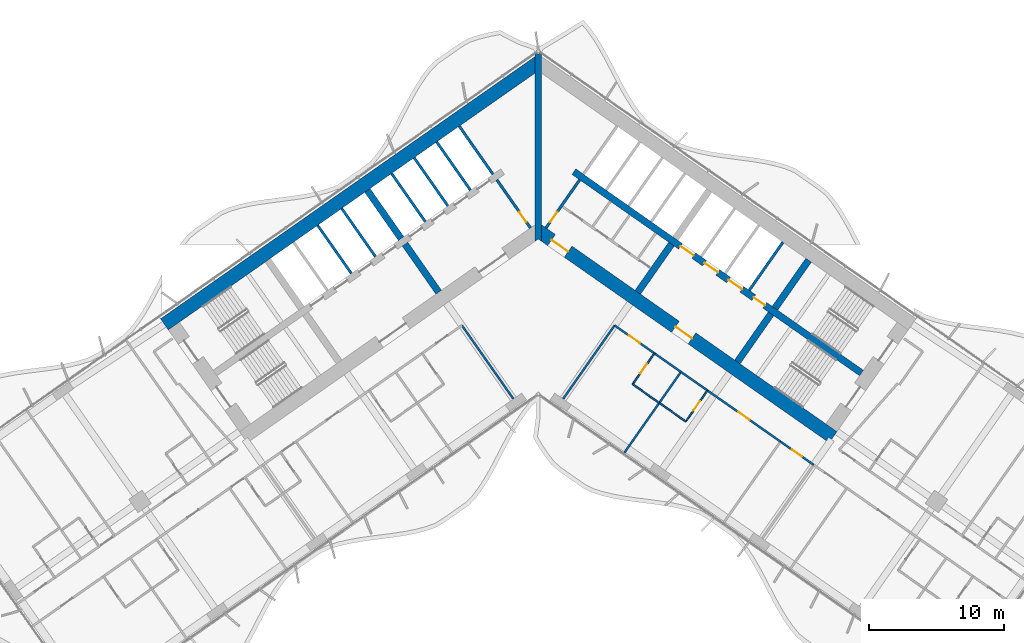
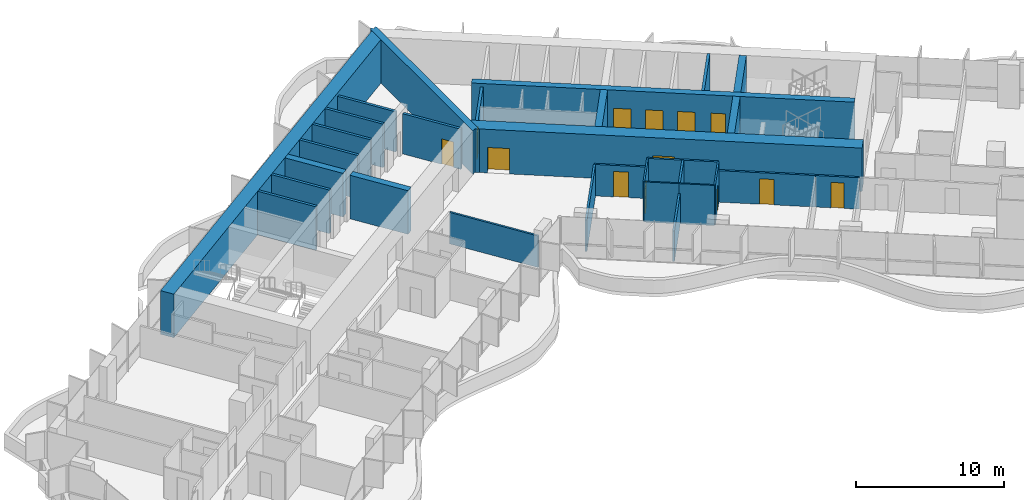
# One storey, part 14 of 23: 31 walls, 13 doors, 13 openings.
"""IFC4 building model written with IfcOpenShell, lengths in metres."""

import ifcopenshell
import ifcopenshell.guid

model = None  # the IFC model being written
_history = None  # IfcOwnerHistory: only IFC2X3 demands one
_inside = {}  # id of a spatial element -> (the spatial element, [elements in it])
_under = {}  # id of a project, library or spatial element -> (it, [spatial elements below it])
_declared = {}  # id of a project -> (the project, [libraries it declares])
_typed = {}  # id of a type object -> (the type object, [elements of that type])
_made_of = {}  # id of a material, layer set ... -> (it, [elements and type objects made of it])


def new_model(schema):
    """Start an empty IFC model of exactly this schema.

    Asked for "IFC4X3", IfcOpenShell would pick the latest addendum, in which some entities
    have other attributes; the version numbers below select the first issue.
    IFC2X3 requires an IfcOwnerHistory on every rooted entity: one is made here for all.
    """
    global model, _history
    if schema == "IFC4X3":
        model = ifcopenshell.file(schema_version=(4, 3, 0, 0))
    else:
        model = ifcopenshell.file(schema=schema)
    _inside.clear()
    _under.clear()
    _declared.clear()
    _typed.clear()
    _made_of.clear()
    _history = None
    if model.schema == "IFC2X3":
        org = make("IfcOrganization", Name="unknown")
        user = make(
            "IfcPersonAndOrganization",
            ThePerson=make("IfcPerson", FamilyName="unknown"),
            TheOrganization=org,
        )
        app = make(
            "IfcApplication",
            ApplicationDeveloper=org,
            Version="unknown",
            ApplicationFullName="unknown",
            ApplicationIdentifier="unknown",
        )
        _history = make(
            "IfcOwnerHistory",
            OwningUser=user,
            OwningApplication=app,
            ChangeAction="ADDED",
            CreationDate=0,
        )
    return model


def make(cls, **values):
    """One entity of the class cls with the attributes given. An attribute that is None is left unset."""
    return model.create_entity(
        cls, **{name: value for name, value in values.items() if value is not None}
    )


def rooted(cls, **values):
    """An entity with a GlobalId (a new one), such as an element, a storey or a relation."""
    return make(cls, GlobalId=ifcopenshell.guid.new(), OwnerHistory=_history, **values)


def si_unit(unit_type, name, prefix=None):
    """IfcSIUnit, for example si_unit("LENGTHUNIT", "METRE", prefix="MILLI")."""
    return make("IfcSIUnit", UnitType=unit_type, Prefix=prefix, Name=name)


def assignment(units):
    """IfcUnitAssignment: the units of a project."""
    return None if units is None else make("IfcUnitAssignment", Units=units)


def point(xyz):
    """IfcCartesianPoint."""
    return None if xyz is None else make("IfcCartesianPoint", Coordinates=xyz)


def direction(xyz):
    """IfcDirection."""
    return None if xyz is None else make("IfcDirection", DirectionRatios=xyz)


def frame(location, z_axis=None, x_axis=None):
    """IfcAxis2Placement3D, a coordinate frame: its origin and axes. An axis left out is left unset."""
    return make(
        "IfcAxis2Placement3D",
        Location=point(location),
        Axis=direction(z_axis),
        RefDirection=direction(x_axis),
    )


def frame_2d(location, x_axis=None):
    """IfcAxis2Placement2D, a coordinate frame in the plane: its origin and x axis."""
    return make(
        "IfcAxis2Placement2D", Location=point(location), RefDirection=direction(x_axis)
    )


def origin():
    """The frame at (0, 0, 0) with its axes left unset."""
    return frame((0.0, 0.0, 0.0))


def place(relative_to, where):
    """IfcLocalPlacement: puts the frame where relative to a parent placement (None: the world)."""
    return make(
        "IfcLocalPlacement", PlacementRelTo=relative_to, RelativePlacement=where
    )


def context(
    kind, dimensions, precision=None, world=None, true_north=None, identifier=None
):
    """IfcGeometricRepresentationContext, for example the 3D "Model" context."""
    return make(
        "IfcGeometricRepresentationContext",
        ContextIdentifier=identifier,
        ContextType=kind,
        CoordinateSpaceDimension=dimensions,
        Precision=precision,
        WorldCoordinateSystem=world,
        TrueNorth=true_north,
    )


def subcontext(parent, identifier, kind, view, scale=None):
    """IfcGeometricRepresentationSubContext, for example "Body" below "Model"."""
    return make(
        "IfcGeometricRepresentationSubContext",
        ContextIdentifier=identifier,
        ContextType=kind,
        ParentContext=parent,
        TargetScale=scale,
        TargetView=view,
    )


def project(units=None, contexts=None):
    """IfcProject with its units and contexts."""
    return rooted(
        "IfcProject",
        Name="project",
        RepresentationContexts=contexts,
        UnitsInContext=assignment(units),
    )


def spatial(cls, under=None, at=None, **own):
    """A site, building, storey or space (cls), placed at a placement, below another one or the project."""
    s = rooted(cls, ObjectPlacement=at, **own)
    if under is not None:
        _under.setdefault(under.id(), (under, []))[1].append(s)
    return s


def polyline(points):
    """IfcPolyline through the points."""
    return make("IfcPolyline", Points=[point(p) for p in points])


def profile(cls, at=None, kind="AREA", **sizes):
    """A parametric profile (cls). Its sizes go by their IFC names, for example OverallWidth=200.0."""
    return make(cls, ProfileType=kind, Position=at, **sizes)


def rectangle(**sizes):
    """IfcRectangleProfileDef."""
    return profile("IfcRectangleProfileDef", **sizes)


def outline(outer, holes=None, kind="AREA"):
    """IfcArbitraryClosedProfileDef: a profile drawn as a closed curve; with holes, ...WithVoids."""
    if holes is None:
        return make("IfcArbitraryClosedProfileDef", ProfileType=kind, OuterCurve=outer)
    return make(
        "IfcArbitraryProfileDefWithVoids",
        ProfileType=kind,
        OuterCurve=outer,
        InnerCurves=holes,
    )


def extrude(swept, where, along, depth):
    """IfcExtrudedAreaSolid: the profile swept, set in the frame where, extruded along a direction by depth."""
    return make(
        "IfcExtrudedAreaSolid",
        SweptArea=swept,
        Position=where,
        ExtrudedDirection=direction(along),
        Depth=depth,
    )


def shape(context_of_items, identifier, shape_type, items):
    """IfcShapeRepresentation: the items that make up one representation, for example the "Body"."""
    return make(
        "IfcShapeRepresentation",
        ContextOfItems=context_of_items,
        RepresentationIdentifier=identifier,
        RepresentationType=shape_type,
        Items=items,
    )


def material(Name=None, Category=None):
    """IfcMaterial."""
    return make("IfcMaterial", Name=Name, Category=Category)


def layer(
    of_material, thickness, ventilated=None, Name=None, Category=None, Priority=None
):
    """IfcMaterialLayer: one layer of a wall or slab, of a material (None: an air gap)."""
    return make(
        "IfcMaterialLayer",
        Material=of_material,
        LayerThickness=thickness,
        IsVentilated=ventilated,
        Name=Name,
        Category=Category,
        Priority=Priority,
    )


def layer_set(layers, Name=None):
    """IfcMaterialLayerSet."""
    return make("IfcMaterialLayerSet", MaterialLayers=layers, LayerSetName=Name)


def made_of(thing, what):
    """Note that an element or type object is made of a material, layer set ...; save() writes the relation."""
    if what is not None:
        _made_of.setdefault(what.id(), (what, []))[1].append(thing)
    return thing


def type_object(cls, material=None, **own):
    """A type object (cls), such as IfcWallType, which elements share."""
    return made_of(rooted(cls, **own), material)


def element(
    cls,
    number,
    at=None,
    inside=None,
    cuts=None,
    type_object=None,
    material=None,
    context=None,
    identifier="Body",
    shape_type=None,
    held_by="IfcProductDefinitionShape",
    body=None,
    shapes=None,
    **own,
):
    """One element of the class cls, such as IfcWall. Its Tag is "e" and its number.

    at: its placement. inside: the storey or other place that contains it. cuts: it is an
    opening in that element (IfcRelVoidsElement). A single representation is given by context,
    identifier, shape_type and body (its items); several are given by shapes. held_by: the class
    of the entity that holds the representations. save() writes the other relations.
    """
    e = rooted(cls, Tag="e%d" % number, ObjectPlacement=at, **own)
    if body is not None:
        shapes = [shape(context, identifier, shape_type, body)]
    if shapes is not None:
        e.Representation = make(held_by, Representations=shapes)
    if inside is not None:
        _inside.setdefault(inside.id(), (inside, []))[1].append(e)
    if cuts is not None:
        rooted(
            "IfcRelVoidsElement", RelatingBuildingElement=cuts, RelatedOpeningElement=e
        )
    if type_object is not None:
        _typed.setdefault(type_object.id(), (type_object, []))[1].append(e)
    return made_of(e, material)


def fill(opening, filler):
    """IfcRelFillsElement: the door or window that sits in an opening."""
    return rooted(
        "IfcRelFillsElement",
        RelatingOpeningElement=opening,
        RelatedBuildingElement=filler,
    )


def aggregate(whole, parts):
    """IfcRelAggregates: a whole, such as a stair, and the parts it consists of."""
    return rooted("IfcRelAggregates", RelatingObject=whole, RelatedObjects=parts)


def save(model, path):
    """Write the relations noted so far, then the file.

    IfcRelAggregates (storeys below a building ...), IfcRelContainedInSpatialStructure (elements
    in a storey), IfcRelDefinesByType, IfcRelAssociatesMaterial and IfcRelDeclares: one each for
    every whole, place, type object, material and project.
    """
    for whole, parts in _under.values():
        aggregate(whole, parts)
    for where, things in _inside.values():
        rooted(
            "IfcRelContainedInSpatialStructure",
            RelatedElements=things,
            RelatingStructure=where,
        )
    for kind, things in _typed.values():
        rooted("IfcRelDefinesByType", RelatedObjects=things, RelatingType=kind)
    for what, things in _made_of.values():
        rooted("IfcRelAssociatesMaterial", RelatedObjects=things, RelatingMaterial=what)
    for by, libraries in _declared.values():
        rooted("IfcRelDeclares", RelatingContext=by, RelatedDefinitions=libraries)
    model.write(path)


model = new_model("IFC4")

# Units and contexts
model_context = context("Model", 3, precision=1e-05, world=origin(), true_north=direction((0.0, 1.0)))
body_context = subcontext(model_context, "Body", "Model", "MODEL_VIEW")
ifc_project = project(units=[si_unit("LENGTHUNIT", "METRE"), si_unit("AREAUNIT", "SQUARE_METRE"), si_unit("VOLUMEUNIT", "CUBIC_METRE"), si_unit("PLANEANGLEUNIT", "RADIAN"), si_unit("MASSUNIT", "GRAM", prefix="KILO")], contexts=[model_context])

# Site, building, storey
site_placement = place(None, origin())
site = spatial("IfcSite", under=ifc_project, at=site_placement, CompositionType="ELEMENT")
building_placement = place(site_placement, origin())
building = spatial("IfcBuilding", under=site, at=building_placement, Name="Tel Ilan Convention Tower", CompositionType="ELEMENT")
storey_placement = place(building_placement, frame((0.0, 0.0, 83.300048828125)))
storey = spatial("IfcBuildingStorey", under=building, at=storey_placement, Name="L16", CompositionType="ELEMENT", Elevation=83.300048828125)

# Wall, opening, door
ifc_material_1 = material(Name="Concrete C30/37", Category="concrete")
ifc_layer_1 = layer(ifc_material_1, 0.199951171875)
ifc_layer_set_1 = layer_set([ifc_layer_1], Name="Core Service Room Wall 200 mm C30/37")
wall_type_1 = type_object("IfcWallType", Name="Core Service Room Wall 200 mm C30/37", PredefinedType="SOLIDWALL", material=ifc_layer_set_1)
wall_1_placement = place(storey_placement, frame((-0.573486328125, -0.401611328125, 0.0), z_axis=(0.0, 0.0, 1.0), x_axis=(-0.57356780395, 0.819158088694, 0.0)))
wall_1 = element("IfcWall", 1, at=wall_1_placement, inside=storey, type_object=wall_type_1, Name="L16 core wall apex-W", PredefinedType="SOLIDWALL", context=body_context, shape_type="SweptSolid", body=[
    extrude(rectangle(XDim=4.35009765625, YDim=0.199951171875, at=frame_2d((2.175048828125, 0.0))), origin(), (0.0, 0.0, 1.0), 3.320068359375),
])
opening_1_placement = place(wall_1_placement, frame((0.550048828125, 0.0, 0.0)))
opening_1 = element("IfcOpeningElement", 2, at=opening_1_placement, cuts=wall_1, Name="Opening CD1502", PredefinedType="OPENING", context=body_context, shape_type="SweptSolid", body=[
    extrude(rectangle(XDim=0.89990234375, YDim=2.10009765625, at=frame_2d((0.449951171875, 1.050048828125))), frame((0.0, 0.10986328125, 0.0), z_axis=(0.0, -1.0, 0.0), x_axis=(1.0, 0.0, 0.0)), (0.0, 0.0, 1.0), 0.219970703125),
])
ifc_material_2 = material(Name="Galvanised Steel Door Leaf", Category="steel")
door_type_1 = type_object("IfcDoorType", Name="Service Room Door 900 x 2100 FD60", OperationType="NOTDEFINED", PredefinedType="DOOR", material=ifc_material_2)
door_1_placement = place(opening_1_placement, origin())
door_1 = element("IfcDoor", 3, at=door_1_placement, inside=storey, type_object=door_type_1, Name="Telecom Room door", OperationType="SINGLE_SWING_RIGHT", OverallHeight=2.10009765625, OverallWidth=0.89990234375, PredefinedType="DOOR", context=body_context, shape_type="SweptSolid", body=[
    extrude(rectangle(XDim=0.89990234375, YDim=2.10009765625, at=frame_2d((0.449951171875, 1.050048828125))), frame((0.0, 0.02490234375, 0.0), z_axis=(0.0, -1.0, 0.0), x_axis=(1.0, 0.0, 0.0)), (0.0, 0.0, 1.0), 0.050048828125),
])
fill(opening_1, door_1)

# Wall
wall_2_placement = place(storey_placement, frame((-3.355224609375, 3.5712890625, 0.0), z_axis=(0.0, 0.0, 1.0), x_axis=(-0.57356780395, 0.819158088694, 0.0)))
element("IfcWall", 4, at=wall_2_placement, inside=storey, type_object=wall_type_1, Name="L16 core wall apex-W-b", PredefinedType="SOLIDWALL", context=body_context, shape_type="SweptSolid", body=[
    extrude(rectangle(XDim=4.35009765625, YDim=0.199951171875, at=frame_2d((2.175048828125, 0.0))), origin(), (0.0, 0.0, 1.0), 3.320068359375),
])

# Wall, opening, door
wall_3_placement = place(storey_placement, frame((0.573486328125, -0.401611328125, 0.0), z_axis=(0.0, 0.0, 1.0), x_axis=(0.57356780395, 0.819158088694, 0.0)))
wall_3 = element("IfcWall", 5, at=wall_3_placement, inside=storey, type_object=wall_type_1, Name="L16 core wall apex-E", PredefinedType="SOLIDWALL", context=body_context, shape_type="SweptSolid", body=[
    extrude(rectangle(XDim=4.35009765625, YDim=0.199951171875, at=frame_2d((2.175048828125, 0.0))), origin(), (0.0, 0.0, 1.0), 3.320068359375),
])
opening_2_placement = place(wall_3_placement, frame((0.550048828125, 0.0, 0.0)))
opening_2 = element("IfcOpeningElement", 6, at=opening_2_placement, cuts=wall_3, Name="Opening CD1501", PredefinedType="OPENING", context=body_context, shape_type="SweptSolid", body=[
    extrude(rectangle(XDim=0.89990234375, YDim=2.10009765625, at=frame_2d((0.449951171875, 1.050048828125))), frame((0.0, 0.10986328125, 0.0), z_axis=(0.0, -1.0, 0.0), x_axis=(1.0, 0.0, 0.0)), (0.0, 0.0, 1.0), 0.219970703125),
])
door_2_placement = place(opening_2_placement, origin())
door_2 = element("IfcDoor", 7, at=door_2_placement, inside=storey, type_object=door_type_1, Name="Data Room door", OperationType="SINGLE_SWING_RIGHT", OverallHeight=2.10009765625, OverallWidth=0.89990234375, PredefinedType="DOOR", context=body_context, shape_type="SweptSolid", body=[
    extrude(rectangle(XDim=0.89990234375, YDim=2.10009765625, at=frame_2d((0.449951171875, 1.050048828125))), frame((0.0, 0.02490234375, 0.0), z_axis=(0.0, -1.0, 0.0), x_axis=(1.0, 0.0, 0.0)), (0.0, 0.0, 1.0), 0.050048828125),
])
fill(opening_2, door_2)

# Wall
ifc_material_3 = material(Name="Concrete C60/75", Category="concrete")
ifc_layer_2 = layer(ifc_material_3, 1.0)
ifc_layer_set_2 = layer_set([ifc_layer_2], Name="Core Shear Wall 1000 mm C60/75")
wall_type_2 = type_object("IfcWallType", Name="Core Shear Wall 1000 mm C60/75", PredefinedType="SHEAR", material=ifc_layer_set_2)
wall_4_placement = place(storey_placement, frame((0.036865234375, 11.8671875, 0.0), z_axis=(0.0, 0.0, 1.0), x_axis=(-0.819155306259, -0.573571777746, 0.0)))
element("IfcWall", 8, at=wall_4_placement, inside=storey, type_object=wall_type_2, Name="L16 core wall W-back", PredefinedType="SHEAR", context=body_context, shape_type="SweptSolid", body=[
    extrude(outline(polyline([(33.8369140625, 0.5), (0.7001953125, 0.499755859375), (0.0, -0.5), (33.8369140625, -0.5), (33.8369140625, 0.5)])), origin(), (0.0, 0.0, 1.0), 3.599853515625),
])

# Wall, openings, doors
wall_5_placement = place(storey_placement, frame((-0.036865234375, -0.584716796875, 0.0), z_axis=(0.0, 0.0, 1.0), x_axis=(0.819157152511, -0.573569140985, 0.0)))
wall_5 = element("IfcWall", 9, at=wall_5_placement, inside=storey, type_object=wall_type_2, Name="L16 core wall E-front", PredefinedType="SHEAR", context=body_context, shape_type="SweptSolid", body=[
    extrude(outline(polyline([(26.69482421875, 0.499755859375), (0.0, 0.5), (0.7001953125, -0.499755859375), (26.69482421875, -0.500244140625), (26.69482421875, 0.499755859375)])), origin(), (0.0, 0.0, 1.0), 3.599853515625),
])
opening_3_placement = place(wall_5_placement, frame((1.244873046875, 0.0, 0.0)))
opening_3 = element("IfcOpeningElement", 10, at=opening_3_placement, cuts=wall_5, Name="Opening CD1503", PredefinedType="OPENING", context=body_context, shape_type="SweptSolid", body=[
    extrude(rectangle(XDim=1.5, YDim=2.10009765625, at=frame_2d((0.75, 1.050048828125))), frame((0.0, 0.510009765625, 0.0), z_axis=(0.0, -1.0, 0.0), x_axis=(1.0, 0.0, 0.0)), (0.0, 0.0, 1.0), 1.02001953125),
])
opening_4_placement = place(wall_5_placement, frame((12.44482421875, 0.0, 0.0)))
opening_4 = element("IfcOpeningElement", 11, at=opening_4_placement, cuts=wall_5, Name="Opening CD1504", PredefinedType="OPENING", context=body_context, shape_type="SweptSolid", body=[
    extrude(rectangle(XDim=1.5, YDim=2.10009765625, at=frame_2d((0.75, 1.050048828125))), frame((0.0, 0.510009765625, 0.0), z_axis=(0.0, -1.0, 0.0), x_axis=(1.0, 0.0, 0.0)), (0.0, 0.0, 1.0), 1.02001953125),
])
ifc_material_4 = material(Name="Glazed Aluminium Door Leaf", Category="aluminium")
door_type_2 = type_object("IfcDoorType", Name="Lobby Opening Door 1500 x 2100 FD60S", OperationType="NOTDEFINED", PredefinedType="DOOR", material=ifc_material_4)
door_3_placement = place(opening_4_placement, origin())
door_3 = element("IfcDoor", 12, at=door_3_placement, inside=storey, type_object=door_type_2, Name="Firefighting Lobby door", OperationType="DOUBLE_DOOR_SINGLE_SWING", OverallHeight=2.10009765625, OverallWidth=1.5, PredefinedType="DOOR", context=body_context, shape_type="SweptSolid", body=[
    extrude(rectangle(XDim=1.5, YDim=2.10009765625, at=frame_2d((0.75, 1.050048828125))), frame((0.0, 0.02490234375, 0.0), z_axis=(0.0, -1.0, 0.0), x_axis=(1.0, 0.0, 0.0)), (0.0, 0.0, 1.0), 0.050048828125),
])
fill(opening_4, door_3)
ifc_material_5 = material(Name="Laminated Timber Door Leaf", Category="wood")
door_type_3 = type_object("IfcDoorType", Name="Toilet Door 1500 x 2100 FD30S", OperationType="NOTDEFINED", PredefinedType="DOOR", material=ifc_material_5)
door_4_placement = place(opening_3_placement, origin())
door_4 = element("IfcDoor", 13, at=door_4_placement, inside=storey, type_object=door_type_3, Name="WC Lobby door", OperationType="SINGLE_SWING_RIGHT", OverallHeight=2.10009765625, OverallWidth=1.5, PredefinedType="DOOR", context=body_context, shape_type="SweptSolid", body=[
    extrude(rectangle(XDim=1.5, YDim=2.10009765625, at=frame_2d((0.75, 1.050048828125))), frame((0.0, 0.02490234375, 0.0), z_axis=(0.0, -1.0, 0.0), x_axis=(1.0, 0.0, 0.0)), (0.0, 0.0, 1.0), 0.050048828125),
])
fill(opening_3, door_4)

# Walls
ifc_material_6 = material(Name="Concrete C60/75", Category="concrete")
ifc_layer_3 = layer(ifc_material_6, 0.5)
ifc_layer_set_3 = layer_set([ifc_layer_3], Name="Core Shear Wall 500 mm C60/75")
wall_type_3 = type_object("IfcWallType", Name="Core Shear Wall 500 mm C60/75", PredefinedType="SHEAR", material=ifc_layer_set_3)
wall_6_placement = place(storey_placement, frame((-7.372314453125, -5.162109375, 0.0), z_axis=(0.0, 0.0, 1.0), x_axis=(-0.573594173421, 0.819139624372, 0.0)))
element("IfcWall", 14, at=wall_6_placement, inside=storey, type_object=wall_type_3, Name="L16 core wall W-cross1-1", PredefinedType="SHEAR", context=body_context, shape_type="SweptSolid", body=[
    extrude(outline(polyline([(4.349853515625, 0.25), (0.0, 0.250244140625), (0.0, -0.25), (4.349853515625, -0.25), (4.349853515625, 0.25)])), origin(), (0.0, 0.0, 1.0), 3.599853515625),
])
wall_7_placement = place(storey_placement, frame((-10.154296875, -1.189208984375, 0.0), z_axis=(0.0, 0.0, 1.0), x_axis=(-0.573594173421, 0.819139624372, 0.0)))
element("IfcWall", 15, at=wall_7_placement, inside=storey, type_object=wall_type_3, Name="L16 core wall W-cross1-2", PredefinedType="SHEAR", context=body_context, shape_type="SweptSolid", body=[
    extrude(outline(polyline([(4.349853515625, -0.25), (4.349853515625, 0.25), (-0.000244140625, 0.25), (-0.000244140625, -0.25), (4.349853515625, -0.25)])), origin(), (0.0, 0.0, 1.0), 3.599853515625),
])
wall_8_placement = place(storey_placement, frame((7.372314453125, -5.162109375, 0.0), z_axis=(0.0, 0.0, 1.0), x_axis=(0.573594173421, 0.819139624372, 0.0)))
element("IfcWall", 16, at=wall_8_placement, inside=storey, type_object=wall_type_3, Name="L16 core wall E-cross1-1", PredefinedType="SHEAR", context=body_context, shape_type="SweptSolid", body=[
    extrude(outline(polyline([(0.0, 0.25), (0.0, -0.250244140625), (4.349853515625, -0.25), (4.349853515625, 0.25), (0.0, 0.25)])), origin(), (0.0, 0.0, 1.0), 3.599853515625),
])
wall_9_placement = place(storey_placement, frame((14.74462890625, -10.324462890625, 0.0), z_axis=(0.0, 0.0, 1.0), x_axis=(0.57356780395, 0.819158088694, 0.0)))
element("IfcWall", 17, at=wall_9_placement, inside=storey, type_object=wall_type_3, Name="L16 core wall E-cross2-1", PredefinedType="SHEAR", context=body_context, shape_type="SweptSolid", body=[
    extrude(outline(polyline([(0.0, 0.25), (0.0, -0.25), (4.35009765625, -0.250244140625), (4.35009765625, 0.25), (0.0, 0.25)])), origin(), (0.0, 0.0, 1.0), 3.599853515625),
])
wall_10_placement = place(storey_placement, frame((17.526611328125, -6.3515625, 0.0), z_axis=(0.0, 0.0, 1.0), x_axis=(0.573530143085, 0.819184457233, 0.0)))
element("IfcWall", 18, at=wall_10_placement, inside=storey, type_object=wall_type_3, Name="L16 core wall E-cross2-2", PredefinedType="SHEAR", context=body_context, shape_type="SweptSolid", body=[
    extrude(outline(polyline([(4.35009765625, -0.250244140625), (4.35009765625, 0.249755859375), (0.0, 0.25), (0.0, -0.25), (4.35009765625, -0.250244140625)])), origin(), (0.0, 0.0, 1.0), 3.599853515625),
])

# Wall, openings, doors
wall_11_placement = place(storey_placement, frame((2.638427734375, 3.76806640625, 0.0), z_axis=(0.0, 0.0, 1.0), x_axis=(0.819148977158, -0.573580816643, 0.0)))
wall_11 = element("IfcWall", 19, at=wall_11_placement, inside=storey, type_object=wall_type_3, Name="L16 core wall E-spine", PredefinedType="SHEAR", context=body_context, shape_type="SweptSolid", body=[
    extrude(outline(polyline([(0.0, 0.25), (0.0, -0.25), (26.0, -0.249755859375), (26.0, 0.250244140625), (0.0, 0.25)])), origin(), (0.0, 0.0, 1.0), 3.599853515625),
])
opening_5_placement = place(wall_11_placement, frame((9.637451171875, 0.0, 0.0)))
opening_5 = element("IfcOpeningElement", 20, at=opening_5_placement, cuts=wall_11, Name="Opening LD1501", PredefinedType="OPENING", context=body_context, shape_type="SweptSolid", body=[
    extrude(rectangle(XDim=1.199951171875, YDim=2.10009765625, at=frame_2d((0.60009765625, 1.050048828125))), frame((0.0, 0.260009765625, 0.0), z_axis=(0.0, -1.0, 0.0), x_axis=(1.0, 0.0, 0.0)), (0.0, 0.0, 1.0), 0.52001953125),
])
opening_6_placement = place(wall_11_placement, frame((11.8125, 0.0, 0.0)))
opening_6 = element("IfcOpeningElement", 21, at=opening_6_placement, cuts=wall_11, Name="Opening LD1502", PredefinedType="OPENING", context=body_context, shape_type="SweptSolid", body=[
    extrude(rectangle(XDim=1.199951171875, YDim=2.10009765625, at=frame_2d((0.60009765625, 1.050048828125))), frame((0.0, 0.260009765625, 0.0), z_axis=(0.0, -1.0, 0.0), x_axis=(1.0, 0.0, 0.0)), (0.0, 0.0, 1.0), 0.52001953125),
])
opening_7_placement = place(wall_11_placement, frame((13.987548828125, 0.0, 0.0)))
opening_7 = element("IfcOpeningElement", 22, at=opening_7_placement, cuts=wall_11, Name="Opening LD1503", PredefinedType="OPENING", context=body_context, shape_type="SweptSolid", body=[
    extrude(rectangle(XDim=1.199951171875, YDim=2.10009765625, at=frame_2d((0.60009765625, 1.050048828125))), frame((0.0, 0.260009765625, 0.0), z_axis=(0.0, -1.0, 0.0), x_axis=(1.0, 0.0, 0.0)), (0.0, 0.0, 1.0), 0.52001953125),
])
opening_8_placement = place(wall_11_placement, frame((16.262451171875, 0.0, 0.0)))
opening_8 = element("IfcOpeningElement", 23, at=opening_8_placement, cuts=wall_11, Name="Opening CD1507", PredefinedType="OPENING", context=body_context, shape_type="SweptSolid", body=[
    extrude(rectangle(XDim=1.0, YDim=2.10009765625, at=frame_2d((0.5, 1.050048828125))), frame((0.0, 0.260009765625, 0.0), z_axis=(0.0, -1.0, 0.0), x_axis=(1.0, 0.0, 0.0)), (0.0, 0.0, 1.0), 0.52001953125),
])
ifc_material_7 = material(Name="Stainless Steel Sliding Door Leaf", Category="steel")
door_type_4 = type_object("IfcDoorType", Name="Lift Landing Door 1200 x 2100 FD120", OperationType="NOTDEFINED", PredefinedType="DOOR", material=ifc_material_7)
door_5_placement = place(opening_5_placement, origin())
door_5 = element("IfcDoor", 24, at=door_5_placement, inside=storey, type_object=door_type_4, Name="Lift FL1 landing door", OperationType="SLIDING_TO_LEFT", OverallHeight=2.10009765625, OverallWidth=1.199951171875, PredefinedType="DOOR", context=body_context, shape_type="SweptSolid", body=[
    extrude(rectangle(XDim=1.199951171875, YDim=2.10009765625, at=frame_2d((0.60009765625, 1.050048828125))), frame((0.0, 0.02490234375, 0.0), z_axis=(0.0, -1.0, 0.0), x_axis=(1.0, 0.0, 0.0)), (0.0, 0.0, 1.0), 0.050048828125),
])
fill(opening_5, door_5)
door_6_placement = place(opening_6_placement, origin())
door_6 = element("IfcDoor", 25, at=door_6_placement, inside=storey, type_object=door_type_4, Name="Lift FL2 landing door", OperationType="SLIDING_TO_RIGHT", OverallHeight=2.10009765625, OverallWidth=1.199951171875, PredefinedType="DOOR", context=body_context, shape_type="SweptSolid", body=[
    extrude(rectangle(XDim=1.199951171875, YDim=2.10009765625, at=frame_2d((0.60009765625, 1.050048828125))), frame((0.0, 0.02490234375, 0.0), z_axis=(0.0, -1.0, 0.0), x_axis=(1.0, 0.0, 0.0)), (0.0, 0.0, 1.0), 0.050048828125),
])
fill(opening_6, door_6)
door_7_placement = place(opening_7_placement, origin())
door_7 = element("IfcDoor", 26, at=door_7_placement, inside=storey, type_object=door_type_4, Name="Lift FL3 landing door", OperationType="SLIDING_TO_LEFT", OverallHeight=2.10009765625, OverallWidth=1.199951171875, PredefinedType="DOOR", context=body_context, shape_type="SweptSolid", body=[
    extrude(rectangle(XDim=1.199951171875, YDim=2.10009765625, at=frame_2d((0.60009765625, 1.050048828125))), frame((0.0, 0.02490234375, 0.0), z_axis=(0.0, -1.0, 0.0), x_axis=(1.0, 0.0, 0.0)), (0.0, 0.0, 1.0), 0.050048828125),
])
fill(opening_7, door_7)
ifc_material_8 = material(Name="Galvanised Steel Door Leaf", Category="steel")
door_type_5 = type_object("IfcDoorType", Name="Service Room Door 1000 x 2100 FD60", OperationType="NOTDEFINED", PredefinedType="DOOR", material=ifc_material_8)
door_8_placement = place(opening_8_placement, origin())
door_8 = element("IfcDoor", 27, at=door_8_placement, inside=storey, type_object=door_type_5, Name="Plant Room door", OperationType="SINGLE_SWING_RIGHT", OverallHeight=2.10009765625, OverallWidth=1.0, PredefinedType="DOOR", context=body_context, shape_type="SweptSolid", body=[
    extrude(rectangle(XDim=1.0, YDim=2.10009765625, at=frame_2d((0.5, 1.050048828125))), frame((0.0, 0.02490234375, 0.0), z_axis=(0.0, -1.0, 0.0), x_axis=(1.0, 0.0, 0.0)), (0.0, 0.0, 1.0), 0.050048828125),
])
fill(opening_8, door_8)

# Wall
wall_12_placement = place(storey_placement, frame((0.0, -1.395751953125, 0.0), z_axis=(0.0, 0.0, 1.0), x_axis=(0.0, 1.0, 0.0)))
element("IfcWall", 28, at=wall_12_placement, inside=storey, type_object=wall_type_3, Name="L16 core wall K-central", PredefinedType="SHEAR", context=body_context, shape_type="SweptSolid", body=[
    extrude(outline(polyline([(0.0, -0.25), (0.175048828125, -0.25), (1.220703125, -0.25), (12.451904296875, -0.25), (13.84765625, -0.25), (13.85693359375, -0.25), (13.96826171875, -0.172119140625), (13.84765625, 0.0), (13.96826171875, 0.172119140625), (13.85693359375, 0.25), (13.84765625, 0.25), (12.451904296875, 0.25), (1.220703125, 0.25), (0.175048828125, 0.25), (0.0, 0.25), (0.175048828125, 0.0), (0.0, -0.25)])), origin(), (0.0, 0.0, 1.0), 3.599853515625),
])

# Wall, opening, door
ifc_material_9 = material(Name="Plasterboard on Steel Studs", Category="steel")
ifc_layer_4 = layer(ifc_material_9, 0.14990234375)
ifc_layer_set_4 = layer_set([ifc_layer_4], Name="Fire-rated Partition 150 EI 60")
wall_type_4 = type_object("IfcWallType", Name="Fire-rated Partition 150 EI 60", PredefinedType="PARTITIONING", material=ifc_layer_set_4)
wall_13_placement = place(storey_placement, frame((8.601318359375, -9.68505859375, 0.0), z_axis=(0.0, 0.0, 1.0), x_axis=(-0.819149096931, 0.573580645591, 0.0)))
wall_13 = element("IfcWall", 29, at=wall_13_placement, inside=storey, type_object=wall_type_4, Name="Partition 007", PredefinedType="PARTITIONING", context=body_context, shape_type="SweptSolid", body=[
    extrude(rectangle(XDim=3.600830078125, YDim=0.14990234375, at=frame_2d((1.80029296875, 0.0))), origin(), (0.0, 0.0, 1.0), 2.599853515625),
])
opening_9_placement = place(wall_13_placement, frame((1.301025390625, 0.0, 0.0)))
opening_9 = element("IfcOpeningElement", 30, at=opening_9_placement, cuts=wall_13, Name="Opening L15-021", PredefinedType="OPENING", context=body_context, shape_type="SweptSolid", body=[
    extrude(rectangle(XDim=1.0, YDim=2.10009765625, at=frame_2d((0.5, 1.050048828125))), frame((0.0, 0.0849609375, 0.0), z_axis=(0.0, -1.0, 0.0), x_axis=(1.0, 0.0, 0.0)), (0.0, 0.0, 1.0), 0.169921875),
])
ifc_material_10 = material(Name="Timber Door Leaf in Steel Frame", Category="steel")
door_type_6 = type_object("IfcDoorType", Name="Hotel Room Entrance Fire Door 1000x2100", OperationType="NOTDEFINED", PredefinedType="DOOR", material=ifc_material_10)
door_9_placement = place(opening_9_placement, origin())
door_9 = element("IfcDoor", 31, at=door_9_placement, inside=storey, type_object=door_type_6, Name="Door L15-021", OperationType="SINGLE_SWING_LEFT", OverallHeight=2.10009765625, OverallWidth=1.0, PredefinedType="DOOR", context=body_context, shape_type="SweptSolid", body=[
    extrude(rectangle(XDim=1.0, YDim=2.10009765625, at=frame_2d((0.5, 1.050048828125))), frame((0.0, 0.02490234375, 0.0), z_axis=(0.0, -1.0, 0.0), x_axis=(1.0, 0.0, 0.0)), (0.0, 0.0, 1.0), 0.050048828125),
])
fill(opening_9, door_9)

# Wall
wall_14_placement = place(storey_placement, frame((10.568115234375, -11.062255859375, 0.0), z_axis=(0.0, 0.0, 1.0), x_axis=(-0.819146032251, 0.573585022335, 0.0)))
element("IfcWall", 32, at=wall_14_placement, inside=storey, type_object=wall_type_4, Name="Partition 008", PredefinedType="PARTITIONING", context=body_context, shape_type="SweptSolid", body=[
    extrude(rectangle(XDim=2.404052734375, YDim=0.14990234375, at=frame_2d((1.2021484375, 0.0))), origin(), (0.0, 0.0, 1.0), 3.320068359375),
])

# Wall, opening, door
wall_15_placement = place(storey_placement, frame((17.940673828125, -16.224365234375, 0.0), z_axis=(0.0, 0.0, 1.0), x_axis=(-0.819153746897, 0.573574004767, 0.0)))
wall_15 = element("IfcWall", 33, at=wall_15_placement, inside=storey, type_object=wall_type_4, Name="Partition 009", PredefinedType="PARTITIONING", context=body_context, shape_type="SweptSolid", body=[
    extrude(rectangle(XDim=6.60302734375, YDim=0.14990234375, at=frame_2d((3.301513671875, 0.0))), origin(), (0.0, 0.0, 1.0), 2.599853515625),
])
opening_10_placement = place(wall_15_placement, frame((2.802001953125, 0.0, 0.0)))
opening_10 = element("IfcOpeningElement", 34, at=opening_10_placement, cuts=wall_15, Name="Opening L15-023", PredefinedType="OPENING", context=body_context, shape_type="SweptSolid", body=[
    extrude(rectangle(XDim=1.0, YDim=2.10009765625, at=frame_2d((0.5, 1.050048828125))), frame((0.0, 0.0849609375, 0.0), z_axis=(0.0, -1.0, 0.0), x_axis=(1.0, 0.0, 0.0)), (0.0, 0.0, 1.0), 0.169921875),
])
door_10_placement = place(opening_10_placement, origin())
door_10 = element("IfcDoor", 35, at=door_10_placement, inside=storey, type_object=door_type_6, Name="Door L15-023", OperationType="SINGLE_SWING_RIGHT", OverallHeight=2.10009765625, OverallWidth=1.0, PredefinedType="DOOR", context=body_context, shape_type="SweptSolid", body=[
    extrude(rectangle(XDim=1.0, YDim=2.10009765625, at=frame_2d((0.5, 1.050048828125))), frame((0.0, 0.02490234375, 0.0), z_axis=(0.0, -1.0, 0.0), x_axis=(1.0, 0.0, 0.0)), (0.0, 0.0, 1.0), 0.050048828125),
])
fill(opening_10, door_10)

# Wall
wall_16_placement = place(storey_placement, frame((12.5341796875, -12.438720703125, 0.0), z_axis=(0.0, 0.0, 1.0), x_axis=(-0.819193748, 0.57351687267, 0.0)))
element("IfcWall", 36, at=wall_16_placement, inside=storey, type_object=wall_type_4, Name="Partition 010", PredefinedType="PARTITIONING", context=body_context, shape_type="SweptSolid", body=[
    extrude(rectangle(XDim=2.40380859375, YDim=0.14990234375, at=frame_2d((1.201904296875, 0.0))), origin(), (0.0, 0.0, 1.0), 3.320068359375),
])

# Wall, opening, door
wall_17_placement = place(storey_placement, frame((20.39794921875, -17.9453125, 0.0), z_axis=(0.0, 0.0, 1.0), x_axis=(-0.819128818764, 0.573609604409, 0.0)))
wall_17 = element("IfcWall", 37, at=wall_17_placement, inside=storey, type_object=wall_type_4, Name="Partition 011", PredefinedType="PARTITIONING", context=body_context, shape_type="SweptSolid", body=[
    extrude(rectangle(XDim=3.004150390625, YDim=0.14990234375, at=frame_2d((1.501953125, 0.0))), origin(), (0.0, 0.0, 1.0), 2.599853515625),
])
opening_11_placement = place(wall_17_placement, frame((1.052001953125, 0.0, 0.0)))
opening_11 = element("IfcOpeningElement", 38, at=opening_11_placement, cuts=wall_17, Name="Opening L15-024", PredefinedType="OPENING", context=body_context, shape_type="SweptSolid", body=[
    extrude(rectangle(XDim=0.89990234375, YDim=2.10009765625, at=frame_2d((0.449951171875, 1.050048828125))), frame((0.0, 0.0849609375, 0.0), z_axis=(0.0, -1.0, 0.0), x_axis=(1.0, 0.0, 0.0)), (0.0, 0.0, 1.0), 0.169921875),
])
ifc_material_11 = material(Name="Timber Door Leaf in Steel Frame", Category="steel")
door_type_7 = type_object("IfcDoorType", Name="Room Fire Door 900x2100", OperationType="NOTDEFINED", PredefinedType="DOOR", material=ifc_material_11)
door_11_placement = place(opening_11_placement, origin())
door_11 = element("IfcDoor", 39, at=door_11_placement, inside=storey, type_object=door_type_7, Name="Door L15-024", OperationType="SINGLE_SWING_LEFT", OverallHeight=2.10009765625, OverallWidth=0.89990234375, PredefinedType="DOOR", context=body_context, shape_type="SweptSolid", body=[
    extrude(rectangle(XDim=0.89990234375, YDim=2.10009765625, at=frame_2d((0.449951171875, 1.050048828125))), frame((0.0, 0.02490234375, 0.0), z_axis=(0.0, -1.0, 0.0), x_axis=(1.0, 0.0, 0.0)), (0.0, 0.0, 1.0), 0.050048828125),
])
fill(opening_11, door_11)

# Walls
wall_18_placement = place(storey_placement, frame((8.9599609375, -13.35546875, 0.0), z_axis=(0.0, 0.0, 1.0), x_axis=(-0.573564311442, -0.819160534108, 0.0)))
element("IfcWall", 40, at=wall_18_placement, inside=storey, type_object=wall_type_4, Name="Partition 050", PredefinedType="PARTITIONING", context=body_context, shape_type="SweptSolid", body=[
    extrude(rectangle(XDim=4.499267578125, YDim=0.14990234375, at=frame_2d((2.24951171875, 0.0))), origin(), (0.0, 0.0, 1.0), 2.5),
])
wall_19_placement = place(storey_placement, frame((1.848876953125, -13.050537109375, 0.0), z_axis=(0.0, 0.0, 1.0), x_axis=(0.57357355307, 0.819154063177, 0.0)))
element("IfcWall", 41, at=wall_19_placement, inside=storey, type_object=wall_type_4, Name="Partition 051", PredefinedType="PARTITIONING", context=body_context, shape_type="SweptSolid", body=[
    extrude(rectangle(XDim=6.6298828125, YDim=0.14990234375, at=frame_2d((3.31494140625, 0.0))), origin(), (0.0, 0.0, 1.0), 2.599853515625),
])
wall_20_placement = place(storey_placement, frame((10.566650390625, -11.06103515625, 0.0), z_axis=(0.0, 0.0, 1.0), x_axis=(-0.573608623498, -0.819129505664, 0.0)))
element("IfcWall", 42, at=wall_20_placement, inside=storey, type_object=wall_type_4, Name="Partition 052", PredefinedType="PARTITIONING", context=body_context, shape_type="SweptSolid", body=[
    extrude(rectangle(XDim=2.800048828125, YDim=0.14990234375, at=frame_2d((1.39990234375, 0.0))), origin(), (0.0, 0.0, 1.0), 3.320068359375),
])
wall_21_placement = place(storey_placement, frame((-1.848876953125, -13.050537109375, 0.0), z_axis=(0.0, 0.0, 1.0), x_axis=(-0.573575988258, 0.819152358047, 0.0)))
element("IfcWall", 43, at=wall_21_placement, inside=storey, type_object=wall_type_4, Name="Partition 064", PredefinedType="PARTITIONING", context=body_context, shape_type="SweptSolid", body=[
    extrude(rectangle(XDim=6.632080078125, YDim=0.14990234375, at=frame_2d((3.31591796875, 0.0))), origin(), (0.0, 0.0, 1.0), 2.599853515625),
])
ifc_material_12 = material(Name="Concrete C30/37", Category="concrete")
ifc_layer_5 = layer(ifc_material_12, 0.199951171875)
ifc_layer_set_5 = layer_set([ifc_layer_5], Name="Lift Shaft Wall 200 mm C30/37")
wall_type_5 = type_object("IfcWallType", Name="Lift Shaft Wall 200 mm C30/37", PredefinedType="SOLIDWALL", material=ifc_layer_set_5)
wall_22_placement = place(storey_placement, frame((-5.0244140625, 2.402587890625, 0.0), z_axis=(0.0, 0.0, 1.0), x_axis=(-0.573530143085, 0.819184457233, 0.0)))
element("IfcWall", 44, at=wall_22_placement, inside=storey, type_object=wall_type_5, Name="L16 core wall bank-W1-p0", PredefinedType="SOLIDWALL", context=body_context, shape_type="SweptSolid", body=[
    extrude(rectangle(XDim=4.35009765625, YDim=0.199951171875, at=frame_2d((2.175048828125, 0.0))), origin(), (0.0, 0.0, 1.0), 3.599853515625),
])
for number, where, z_axis, x_axis, name in (
    (45, (-6.693359375, 1.234130859375, 0.0), (0.0, 0.0, 1.0), (-0.573594173421, 0.819139624372, 0.0), "L16 core wall bank-W1-p1"),
    (46, (-8.3623046875, 0.0654296875, 0.0), (0.0, 0.0, 1.0), (-0.573594173421, 0.819139624372, 0.0), "L16 core wall bank-W1-p2"),
    (47, (-12.05859375, -2.52294921875, 0.0), (0.0, 0.0, 1.0), (-0.573594173421, 0.819139624372, 0.0), "L16 core wall bank-W2-p0"),
):
    element("IfcWall", number, at=place(storey_placement, frame(where, z_axis=z_axis, x_axis=x_axis)), inside=storey, type_object=wall_type_5, Name=name, PredefinedType="SOLIDWALL", context=body_context, shape_type="SweptSolid", body=[
        extrude(rectangle(XDim=4.349853515625, YDim=0.199951171875, at=frame_2d((2.1748046875, 0.0))), origin(), (0.0, 0.0, 1.0), 3.599853515625),
    ])
wall_23_placement = place(storey_placement, frame((-13.84033203125, -3.7705078125, 0.0), z_axis=(0.0, 0.0, 1.0), x_axis=(-0.57356780395, 0.819158088694, 0.0)))
element("IfcWall", 48, at=wall_23_placement, inside=storey, type_object=wall_type_5, Name="L16 core wall bank-W2-p1", PredefinedType="SOLIDWALL", context=body_context, shape_type="SweptSolid", body=[
    extrude(rectangle(XDim=4.35009765625, YDim=0.199951171875, at=frame_2d((2.175048828125, 0.0))), origin(), (0.0, 0.0, 1.0), 3.599853515625),
])
wall_24_placement = place(storey_placement, frame((15.6220703125, -5.017822265625, 0.0), z_axis=(0.0, 0.0, 1.0), x_axis=(0.573594173421, 0.819139624372, 0.0)))
element("IfcWall", 49, at=wall_24_placement, inside=storey, type_object=wall_type_5, Name="L16 core wall bank-E2-p2", PredefinedType="SOLIDWALL", context=body_context, shape_type="SweptSolid", body=[
    extrude(rectangle(XDim=4.349853515625, YDim=0.199951171875, at=frame_2d((2.1748046875, 0.0))), origin(), (0.0, 0.0, 1.0), 3.599853515625),
])

# Wall, opening, door
ifc_material_13 = material(Name="Plasterboard on Steel Studs", Category="steel")
ifc_layer_6 = layer(ifc_material_13, 0.1201171875)
ifc_layer_set_6 = layer_set([ifc_layer_6], Name="Moisture-resistant Partition 120")
wall_type_6 = type_object("IfcWallType", Name="Moisture-resistant Partition 120", PredefinedType="PARTITIONING", material=ifc_layer_set_6)
wall_25_placement = place(storey_placement, frame((8.599853515625, -9.683837890625, 0.0), z_axis=(0.0, 0.0, 1.0), x_axis=(-0.573550118428, -0.819170471667, 0.0)))
wall_25 = element("IfcWall", 50, at=wall_25_placement, inside=storey, type_object=wall_type_6, Name="Partition 048", PredefinedType="PARTITIONING", context=body_context, shape_type="SweptSolid", body=[
    extrude(rectangle(XDim=2.800048828125, YDim=0.1201171875, at=frame_2d((1.39990234375, 0.0))), origin(), (0.0, 0.0, 1.0), 3.320068359375),
])
opening_12_placement = place(wall_25_placement, frame((0.97509765625, 0.0, 0.0)))
opening_12 = element("IfcOpeningElement", 51, at=opening_12_placement, cuts=wall_25, Name="Opening L15-020", PredefinedType="OPENING", context=body_context, shape_type="SweptSolid", body=[
    extrude(rectangle(XDim=0.85009765625, YDim=2.050048828125, at=frame_2d((0.425048828125, 1.02490234375))), frame((0.0, 0.070068359375, 0.0), z_axis=(0.0, -1.0, 0.0), x_axis=(1.0, 0.0, 0.0)), (0.0, 0.0, 1.0), 0.14013671875),
])
ifc_material_14 = material(Name="Timber Door Leaf in Steel Frame", Category="steel")
door_type_8 = type_object("IfcDoorType", Name="Bathroom Timber Door 850x2050", OperationType="NOTDEFINED", PredefinedType="DOOR", material=ifc_material_14)
door_12_placement = place(opening_12_placement, origin())
door_12 = element("IfcDoor", 52, at=door_12_placement, inside=storey, type_object=door_type_8, Name="Door L15-020", OperationType="SINGLE_SWING_RIGHT", OverallHeight=2.050048828125, OverallWidth=0.85009765625, PredefinedType="DOOR", context=body_context, shape_type="SweptSolid", body=[
    extrude(rectangle(XDim=0.85009765625, YDim=2.050048828125, at=frame_2d((0.425048828125, 1.02490234375))), frame((0.0, 0.02490234375, 0.0), z_axis=(0.0, -1.0, 0.0), x_axis=(1.0, 0.0, 0.0)), (0.0, 0.0, 1.0), 0.050048828125),
])
fill(opening_12, door_12)

# Walls
for number, where, z_axis, x_axis, name in (
    (53, (6.993896484375, -11.97900390625, 0.0), (0.0, 0.0, 1.0), (0.819188907105, -0.573523787192, 0.0), "Partition 049"),
    (54, (8.9599609375, -13.35546875, 0.0), (0.0, 0.0, 1.0), (0.819107643868, -0.573639841501, 0.0), "Partition 053"),
):
    element("IfcWall", number, at=place(storey_placement, frame(where, z_axis=z_axis, x_axis=x_axis)), inside=storey, type_object=wall_type_6, Name=name, PredefinedType="PARTITIONING", context=body_context, shape_type="SweptSolid", body=[
        extrude(rectangle(XDim=2.39990234375, YDim=0.1201171875, at=frame_2d((1.199951171875, 0.0))), origin(), (0.0, 0.0, 1.0), 3.320068359375),
    ])

# Wall, opening, door
wall_26_placement = place(storey_placement, frame((10.92724609375, -14.73193359375, 0.0), z_axis=(0.0, 0.0, 1.0), x_axis=(0.573550118428, 0.819170471667, 0.0)))
wall_26 = element("IfcWall", 55, at=wall_26_placement, inside=storey, type_object=wall_type_6, Name="Partition 054", PredefinedType="PARTITIONING", context=body_context, shape_type="SweptSolid", body=[
    extrude(rectangle(XDim=2.800048828125, YDim=0.1201171875, at=frame_2d((1.39990234375, 0.0))), origin(), (0.0, 0.0, 1.0), 3.320068359375),
])
opening_13_placement = place(wall_26_placement, frame((0.97509765625, 0.0, 0.0)))
opening_13 = element("IfcOpeningElement", 56, at=opening_13_placement, cuts=wall_26, Name="Opening L15-022", PredefinedType="OPENING", context=body_context, shape_type="SweptSolid", body=[
    extrude(rectangle(XDim=0.85009765625, YDim=2.050048828125, at=frame_2d((0.425048828125, 1.02490234375))), frame((0.0, 0.070068359375, 0.0), z_axis=(0.0, -1.0, 0.0), x_axis=(1.0, 0.0, 0.0)), (0.0, 0.0, 1.0), 0.14013671875),
])
door_13_placement = place(opening_13_placement, origin())
door_13 = element("IfcDoor", 57, at=door_13_placement, inside=storey, type_object=door_type_8, Name="Door L15-022", OperationType="SINGLE_SWING_RIGHT", OverallHeight=2.050048828125, OverallWidth=0.85009765625, PredefinedType="DOOR", context=body_context, shape_type="SweptSolid", body=[
    extrude(rectangle(XDim=0.85009765625, YDim=2.050048828125, at=frame_2d((0.425048828125, 1.02490234375))), frame((0.0, 0.02490234375, 0.0), z_axis=(0.0, -1.0, 0.0), x_axis=(1.0, 0.0, 0.0)), (0.0, 0.0, 1.0), 0.050048828125),
])
fill(opening_13, door_13)

save(model, "model.ifc")
